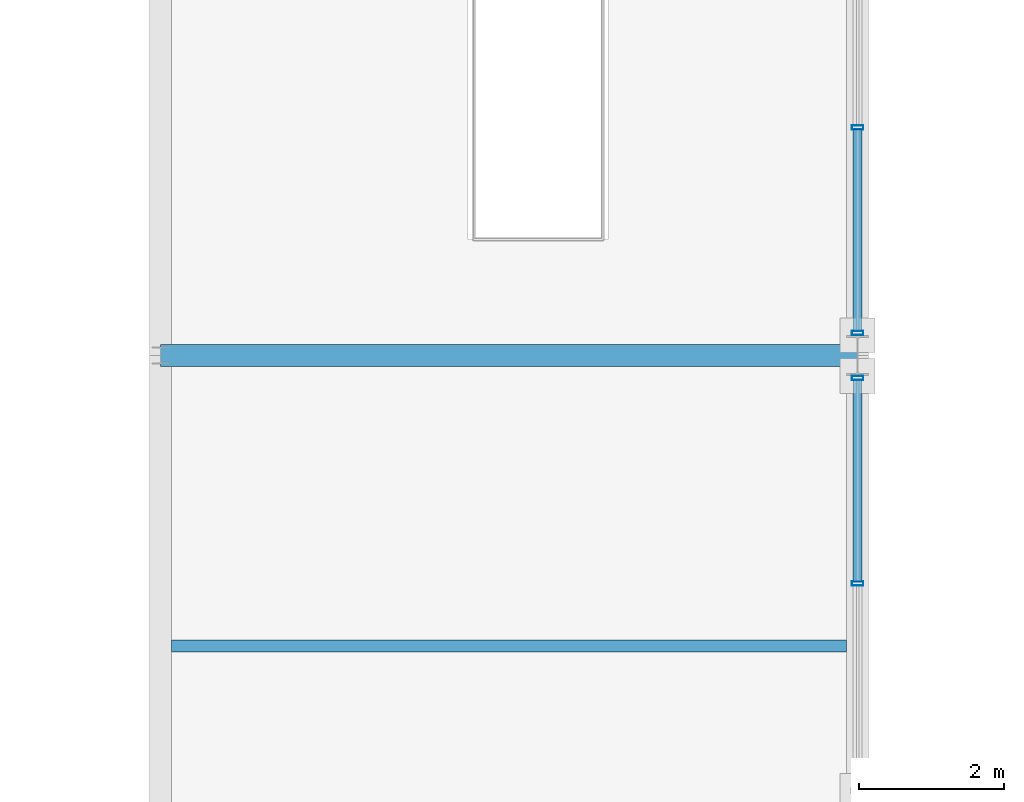
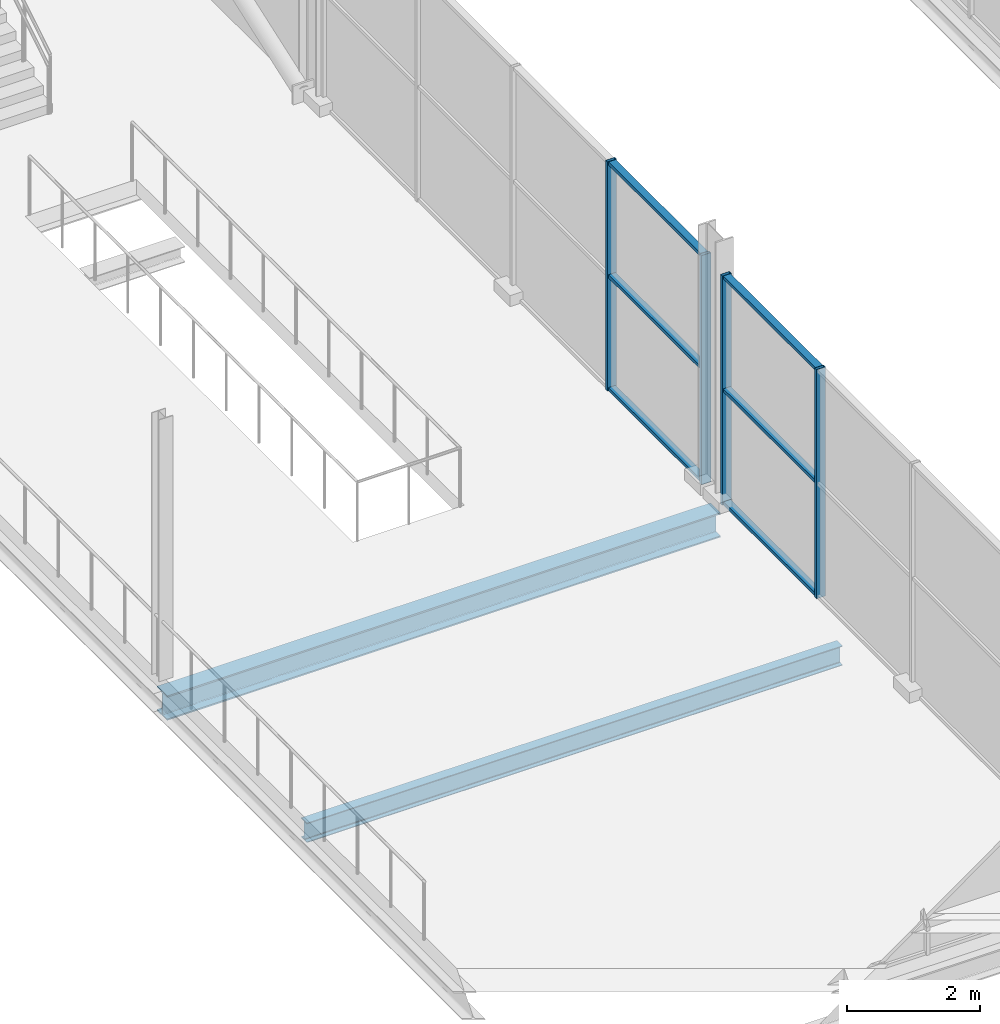
# One storey, part 32 of 159: 10 members, 2 beams, 2 elements without a shape of their own.
"""IFC4 building model written with IfcOpenShell, lengths in metres."""

import ifcopenshell
import ifcopenshell.guid

model = None  # the IFC model being written
_history = None  # IfcOwnerHistory: only IFC2X3 demands one
_inside = {}  # id of a spatial element -> (the spatial element, [elements in it])
_under = {}  # id of a project, library or spatial element -> (it, [spatial elements below it])
_declared = {}  # id of a project -> (the project, [libraries it declares])
_typed = {}  # id of a type object -> (the type object, [elements of that type])
_made_of = {}  # id of a material, layer set ... -> (it, [elements and type objects made of it])


def new_model(schema):
    """Start an empty IFC model of exactly this schema.

    Asked for "IFC4X3", IfcOpenShell would pick the latest addendum, in which some entities
    have other attributes; the version numbers below select the first issue.
    IFC2X3 requires an IfcOwnerHistory on every rooted entity: one is made here for all.
    """
    global model, _history
    if schema == "IFC4X3":
        model = ifcopenshell.file(schema_version=(4, 3, 0, 0))
    else:
        model = ifcopenshell.file(schema=schema)
    _inside.clear()
    _under.clear()
    _declared.clear()
    _typed.clear()
    _made_of.clear()
    _history = None
    if model.schema == "IFC2X3":
        org = make("IfcOrganization", Name="unknown")
        user = make(
            "IfcPersonAndOrganization",
            ThePerson=make("IfcPerson", FamilyName="unknown"),
            TheOrganization=org,
        )
        app = make(
            "IfcApplication",
            ApplicationDeveloper=org,
            Version="unknown",
            ApplicationFullName="unknown",
            ApplicationIdentifier="unknown",
        )
        _history = make(
            "IfcOwnerHistory",
            OwningUser=user,
            OwningApplication=app,
            ChangeAction="ADDED",
            CreationDate=0,
        )
    return model


def make(cls, **values):
    """One entity of the class cls with the attributes given. An attribute that is None is left unset."""
    return model.create_entity(
        cls, **{name: value for name, value in values.items() if value is not None}
    )


def rooted(cls, **values):
    """An entity with a GlobalId (a new one), such as an element, a storey or a relation."""
    return make(cls, GlobalId=ifcopenshell.guid.new(), OwnerHistory=_history, **values)


def si_unit(unit_type, name, prefix=None):
    """IfcSIUnit, for example si_unit("LENGTHUNIT", "METRE", prefix="MILLI")."""
    return make("IfcSIUnit", UnitType=unit_type, Prefix=prefix, Name=name)


def assignment(units):
    """IfcUnitAssignment: the units of a project."""
    return None if units is None else make("IfcUnitAssignment", Units=units)


def point(xyz):
    """IfcCartesianPoint."""
    return None if xyz is None else make("IfcCartesianPoint", Coordinates=xyz)


def direction(xyz):
    """IfcDirection."""
    return None if xyz is None else make("IfcDirection", DirectionRatios=xyz)


def frame(location, z_axis=None, x_axis=None):
    """IfcAxis2Placement3D, a coordinate frame: its origin and axes. An axis left out is left unset."""
    return make(
        "IfcAxis2Placement3D",
        Location=point(location),
        Axis=direction(z_axis),
        RefDirection=direction(x_axis),
    )


def frame_2d(location, x_axis=None):
    """IfcAxis2Placement2D, a coordinate frame in the plane: its origin and x axis."""
    return make(
        "IfcAxis2Placement2D", Location=point(location), RefDirection=direction(x_axis)
    )


def origin():
    """The frame at (0, 0, 0) with its axes left unset."""
    return frame((0.0, 0.0, 0.0))


def origin_2d():
    """The frame at (0, 0) in the plane with its x axis left unset."""
    return frame_2d((0.0, 0.0))


def place(relative_to, where):
    """IfcLocalPlacement: puts the frame where relative to a parent placement (None: the world)."""
    return make(
        "IfcLocalPlacement", PlacementRelTo=relative_to, RelativePlacement=where
    )


def context(
    kind, dimensions, precision=None, world=None, true_north=None, identifier=None
):
    """IfcGeometricRepresentationContext, for example the 3D "Model" context."""
    return make(
        "IfcGeometricRepresentationContext",
        ContextIdentifier=identifier,
        ContextType=kind,
        CoordinateSpaceDimension=dimensions,
        Precision=precision,
        WorldCoordinateSystem=world,
        TrueNorth=true_north,
    )


def subcontext(parent, identifier, kind, view, scale=None):
    """IfcGeometricRepresentationSubContext, for example "Body" below "Model"."""
    return make(
        "IfcGeometricRepresentationSubContext",
        ContextIdentifier=identifier,
        ContextType=kind,
        ParentContext=parent,
        TargetScale=scale,
        TargetView=view,
    )


def project(units=None, contexts=None):
    """IfcProject with its units and contexts."""
    return rooted(
        "IfcProject",
        Name="project",
        RepresentationContexts=contexts,
        UnitsInContext=assignment(units),
    )


def spatial(cls, under=None, at=None, **own):
    """A site, building, storey or space (cls), placed at a placement, below another one or the project."""
    s = rooted(cls, ObjectPlacement=at, **own)
    if under is not None:
        _under.setdefault(under.id(), (under, []))[1].append(s)
    return s


def profile(cls, at=None, kind="AREA", **sizes):
    """A parametric profile (cls). Its sizes go by their IFC names, for example OverallWidth=200.0."""
    return make(cls, ProfileType=kind, Position=at, **sizes)


def hollow_rectangle(**sizes):
    """IfcRectangleHollowProfileDef."""
    return profile("IfcRectangleHollowProfileDef", **sizes)


def i_section(**sizes):
    """IfcIShapeProfileDef."""
    return profile("IfcIShapeProfileDef", **sizes)


def extrude(swept, where, along, depth):
    """IfcExtrudedAreaSolid: the profile swept, set in the frame where, extruded along a direction by depth."""
    return make(
        "IfcExtrudedAreaSolid",
        SweptArea=swept,
        Position=where,
        ExtrudedDirection=direction(along),
        Depth=depth,
    )


def shape(context_of_items, identifier, shape_type, items):
    """IfcShapeRepresentation: the items that make up one representation, for example the "Body"."""
    return make(
        "IfcShapeRepresentation",
        ContextOfItems=context_of_items,
        RepresentationIdentifier=identifier,
        RepresentationType=shape_type,
        Items=items,
    )


def material(Name=None, Category=None):
    """IfcMaterial."""
    return make("IfcMaterial", Name=Name, Category=Category)


def material_profile(
    of_material, cross_section, Name=None, Category=None, Priority=None
):
    """IfcMaterialProfile: a cross section and its material."""
    return make(
        "IfcMaterialProfile",
        Name=Name,
        Material=of_material,
        Profile=cross_section,
        Priority=Priority,
        Category=Category,
    )


def profile_set(profiles, Name=None, composite=None):
    """IfcMaterialProfileSet."""
    return make(
        "IfcMaterialProfileSet",
        Name=Name,
        MaterialProfiles=profiles,
        CompositeProfile=composite,
    )


def made_of(thing, what):
    """Note that an element or type object is made of a material, layer set ...; save() writes the relation."""
    if what is not None:
        _made_of.setdefault(what.id(), (what, []))[1].append(thing)
    return thing


def type_object(cls, material=None, **own):
    """A type object (cls), such as IfcWallType, which elements share."""
    return made_of(rooted(cls, **own), material)


def element(
    cls,
    number,
    at=None,
    inside=None,
    cuts=None,
    type_object=None,
    material=None,
    context=None,
    identifier="Body",
    shape_type=None,
    held_by="IfcProductDefinitionShape",
    body=None,
    shapes=None,
    **own,
):
    """One element of the class cls, such as IfcWall. Its Tag is "e" and its number.

    at: its placement. inside: the storey or other place that contains it. cuts: it is an
    opening in that element (IfcRelVoidsElement). A single representation is given by context,
    identifier, shape_type and body (its items); several are given by shapes. held_by: the class
    of the entity that holds the representations. save() writes the other relations.
    """
    e = rooted(cls, Tag="e%d" % number, ObjectPlacement=at, **own)
    if body is not None:
        shapes = [shape(context, identifier, shape_type, body)]
    if shapes is not None:
        e.Representation = make(held_by, Representations=shapes)
    if inside is not None:
        _inside.setdefault(inside.id(), (inside, []))[1].append(e)
    if cuts is not None:
        rooted(
            "IfcRelVoidsElement", RelatingBuildingElement=cuts, RelatedOpeningElement=e
        )
    if type_object is not None:
        _typed.setdefault(type_object.id(), (type_object, []))[1].append(e)
    return made_of(e, material)


def aggregate(whole, parts):
    """IfcRelAggregates: a whole, such as a stair, and the parts it consists of."""
    return rooted("IfcRelAggregates", RelatingObject=whole, RelatedObjects=parts)


def save(model, path):
    """Write the relations noted so far, then the file.

    IfcRelAggregates (storeys below a building ...), IfcRelContainedInSpatialStructure (elements
    in a storey), IfcRelDefinesByType, IfcRelAssociatesMaterial and IfcRelDeclares: one each for
    every whole, place, type object, material and project.
    """
    for whole, parts in _under.values():
        aggregate(whole, parts)
    for where, things in _inside.values():
        rooted(
            "IfcRelContainedInSpatialStructure",
            RelatedElements=things,
            RelatingStructure=where,
        )
    for kind, things in _typed.values():
        rooted("IfcRelDefinesByType", RelatedObjects=things, RelatingType=kind)
    for what, things in _made_of.values():
        rooted("IfcRelAssociatesMaterial", RelatedObjects=things, RelatingMaterial=what)
    for by, libraries in _declared.values():
        rooted("IfcRelDeclares", RelatingContext=by, RelatedDefinitions=libraries)
    model.write(path)


model = new_model("IFC4")

# Units and contexts
model_context = context("Model", 3, precision=1e-05, world=origin(), true_north=direction((0.0, 1.0)))
body_context = subcontext(model_context, "Body", "Model", "MODEL_VIEW")
ifc_project = project(units=[si_unit("LENGTHUNIT", "METRE"), si_unit("AREAUNIT", "SQUARE_METRE"), si_unit("VOLUMEUNIT", "CUBIC_METRE"), si_unit("PLANEANGLEUNIT", "RADIAN"), si_unit("MASSUNIT", "GRAM", prefix="KILO")], contexts=[model_context])

# Site, building, storey
site_placement = place(None, origin())
site = spatial("IfcSite", under=ifc_project, at=site_placement, CompositionType="ELEMENT")
building_placement = place(site_placement, origin())
building = spatial("IfcBuilding", under=site, at=building_placement, Name="Merenkruunu Market Hall", CompositionType="ELEMENT")
storey_placement = place(building_placement, frame((0.0, 0.0, 5.39990234375)))
storey = spatial("IfcBuildingStorey", under=building, at=storey_placement, Name="L01", CompositionType="ELEMENT", Elevation=5.39990234375)

# Curtain wall, members
ifc_material_1 = material(Name="Powder-coated aluminium", Category="aluminium")
curtain_wall_type = type_object("IfcCurtainWallType", Name="Glazed Curtain Wall CW15", PredefinedType="USERDEFINED", material=ifc_material_1)
curtain_wall_1_placement = place(storey_placement, origin())
curtain_wall_1 = element("IfcCurtainWall", 1, at=curtain_wall_1_placement, inside=storey, type_object=curtain_wall_type, Name="CW-L01-CWM01-122", ObjectType="GLAZED_FACADE", PredefinedType="USERDEFINED")
ifc_material_profile_1 = material_profile(ifc_material_1, hollow_rectangle(XDim=0.06005859375, YDim=0.159912109375, WallThickness=0.00390625, at=origin_2d()), Name="ALU 60x160x4")
ifc_profile_set_1 = profile_set([ifc_material_profile_1], Name="Powder-coated aluminium")
member_type_1 = type_object("IfcMemberType", Name="Curtain Wall Mullion CWM01", PredefinedType="MULLION", material=ifc_profile_set_1)
member_1_placement = place(storey_placement, frame((57.60009765625, 24.4599609375, 0.0), z_axis=(0.0, 0.0, 1.0), x_axis=(0.0, 1.0, 0.0)))
member_1 = element("IfcMember", 2, at=member_1_placement, type_object=member_type_1, Name="CW15 mullion 4", PredefinedType="MULLION", context=body_context, shape_type="SweptSolid", body=[
    extrude(hollow_rectangle(XDim=0.06005859375, YDim=0.159912109375, WallThickness=0.00390625, at=origin_2d()), origin(), (0.0, 0.0, 1.0), 4.2001953125),
])
member_2_placement = place(storey_placement, frame((57.60009765625, 27.2900390625, 0.0), z_axis=(0.0, 0.0, 1.0), x_axis=(0.0, 1.0, 0.0)))
member_2 = element("IfcMember", 3, at=member_2_placement, type_object=member_type_1, Name="CW15 mullion 5", PredefinedType="MULLION", context=body_context, shape_type="SweptSolid", body=[
    extrude(hollow_rectangle(XDim=0.06005859375, YDim=0.159912109375, WallThickness=0.00390625, at=origin_2d()), origin(), (0.0, 0.0, 1.0), 4.2001953125),
])

curtain_wall_2_placement = place(storey_placement, origin())
curtain_wall_2 = element("IfcCurtainWall", 4, at=curtain_wall_2_placement, inside=storey, type_object=curtain_wall_type, Name="CW-L01-CWM01-125", ObjectType="GLAZED_FACADE", PredefinedType="USERDEFINED")
member_3_placement = place(storey_placement, frame((57.60009765625, 27.909912109375, 0.0), z_axis=(0.0, 0.0, 1.0), x_axis=(0.0, 1.0, 0.0)))
member_3 = element("IfcMember", 5, at=member_3_placement, type_object=member_type_1, Name="CW15 mullion 1", PredefinedType="MULLION", context=body_context, shape_type="SweptSolid", body=[
    extrude(hollow_rectangle(XDim=0.06005859375, YDim=0.159912109375, WallThickness=0.00390625, at=origin_2d()), origin(), (0.0, 0.0, 1.0), 4.2001953125),
])
member_4_placement = place(storey_placement, frame((57.60009765625, 30.739990234375, 0.0), z_axis=(0.0, 0.0, 1.0), x_axis=(0.0, 1.0, 0.0)))
member_4 = element("IfcMember", 6, at=member_4_placement, type_object=member_type_1, Name="CW15 mullion 2", PredefinedType="MULLION", context=body_context, shape_type="SweptSolid", body=[
    extrude(hollow_rectangle(XDim=0.06005859375, YDim=0.159912109375, WallThickness=0.00390625, at=origin_2d()), origin(), (0.0, 0.0, 1.0), 4.2001953125),
])

# Member
ifc_material_profile_2 = material_profile(ifc_material_1, hollow_rectangle(XDim=0.06005859375, YDim=0.125, WallThickness=0.00390625, at=origin_2d()), Name="ALU 60x125x4")
ifc_profile_set_2 = profile_set([ifc_material_profile_2], Name="Powder-coated aluminium")
member_type_2 = type_object("IfcMemberType", Name="Curtain Wall Transom CWT01", PredefinedType="USERDEFINED", material=ifc_profile_set_2)
member_5_placement = place(storey_placement, frame((57.60009765625, 24.489990234375, 0.030029296875), z_axis=(0.0, 1.0, 0.0), x_axis=(0.0, 0.0, 1.0)))
member_5 = element("IfcMember", 7, at=member_5_placement, type_object=member_type_2, Name="CW15 transom 4.1", ObjectType="TRANSOM", PredefinedType="USERDEFINED", context=body_context, shape_type="SweptSolid", body=[
    extrude(hollow_rectangle(XDim=0.06005859375, YDim=0.125, WallThickness=0.00390625, at=origin_2d()), origin(), (0.0, 0.0, 1.0), 2.77001953125),
])

member_6_placement = place(storey_placement, frame((57.60009765625, 24.489990234375, 2.10009765625), z_axis=(0.0, 1.0, 0.0), x_axis=(0.0, 0.0, 1.0)))
member_6 = element("IfcMember", 8, at=member_6_placement, type_object=member_type_2, Name="CW15 transom 4.2", ObjectType="TRANSOM", PredefinedType="USERDEFINED", context=body_context, shape_type="SweptSolid", body=[
    extrude(hollow_rectangle(XDim=0.06005859375, YDim=0.125, WallThickness=0.00390625, at=origin_2d()), origin(), (0.0, 0.0, 1.0), 2.77001953125),
])

member_7_placement = place(storey_placement, frame((57.60009765625, 24.489990234375, 4.170166015625), z_axis=(0.0, 1.0, 0.0), x_axis=(0.0, 0.0, 1.0)))
member_7 = element("IfcMember", 9, at=member_7_placement, type_object=member_type_2, Name="CW15 transom 4.3", ObjectType="TRANSOM", PredefinedType="USERDEFINED", context=body_context, shape_type="SweptSolid", body=[
    extrude(hollow_rectangle(XDim=0.06005859375, YDim=0.125, WallThickness=0.00390625, at=origin_2d()), origin(), (0.0, 0.0, 1.0), 2.77001953125),
])

aggregate(curtain_wall_1, [member_1, member_2, member_5, member_6, member_7])

member_8_placement = place(storey_placement, frame((57.60009765625, 27.93994140625, 0.030029296875), z_axis=(0.0, 1.0, 0.0), x_axis=(0.0, 0.0, 1.0)))
member_8 = element("IfcMember", 10, at=member_8_placement, type_object=member_type_2, Name="CW15 transom 1.1", ObjectType="TRANSOM", PredefinedType="USERDEFINED", context=body_context, shape_type="SweptSolid", body=[
    extrude(hollow_rectangle(XDim=0.06005859375, YDim=0.125, WallThickness=0.00390625, at=origin_2d()), origin(), (0.0, 0.0, 1.0), 2.77001953125),
])

member_9_placement = place(storey_placement, frame((57.60009765625, 27.93994140625, 2.10009765625), z_axis=(0.0, 1.0, 0.0), x_axis=(0.0, 0.0, 1.0)))
member_9 = element("IfcMember", 11, at=member_9_placement, type_object=member_type_2, Name="CW15 transom 1.2", ObjectType="TRANSOM", PredefinedType="USERDEFINED", context=body_context, shape_type="SweptSolid", body=[
    extrude(hollow_rectangle(XDim=0.06005859375, YDim=0.125, WallThickness=0.00390625, at=origin_2d()), origin(), (0.0, 0.0, 1.0), 2.77001953125),
])

member_10_placement = place(storey_placement, frame((57.60009765625, 27.93994140625, 4.170166015625), z_axis=(0.0, 1.0, 0.0), x_axis=(0.0, 0.0, 1.0)))
member_10 = element("IfcMember", 12, at=member_10_placement, type_object=member_type_2, Name="CW15 transom 1.3", ObjectType="TRANSOM", PredefinedType="USERDEFINED", context=body_context, shape_type="SweptSolid", body=[
    extrude(hollow_rectangle(XDim=0.06005859375, YDim=0.125, WallThickness=0.00390625, at=origin_2d()), origin(), (0.0, 0.0, 1.0), 2.77001953125),
])

aggregate(curtain_wall_2, [member_3, member_4, member_8, member_9, member_10])

# Beams
ifc_material_2 = material(Name="Steel S355J2", Category="steel")
ifc_material_profile_3 = material_profile(ifc_material_2, i_section(OverallWidth=0.300048828125, OverallDepth=0.449951171875, WebThickness=0.013916015625, FlangeThickness=0.02587890625, FilletRadius=0.027099609375, at=origin_2d()), Name="HEB 450")
ifc_profile_set_3 = profile_set([ifc_material_profile_3], Name="Steel S355J2")
beam_type_1 = type_object("IfcBeamType", Name="Primary Floor Girder B03", PredefinedType="BEAM", material=ifc_profile_set_3)
beam_1_placement = place(storey_placement, frame((48.0, 27.60009765625, -0.5048828125), z_axis=(1.0, 0.0, 0.0), x_axis=(0.0, 1.0, 0.0)))
element("IfcBeam", 13, at=beam_1_placement, inside=storey, type_object=beam_type_1, Name="BM-L01-B03-0482", PredefinedType="BEAM", context=body_context, shape_type="SweptSolid", body=[
    extrude(i_section(OverallWidth=0.300048828125, OverallDepth=0.449951171875, WebThickness=0.013916015625, FlangeThickness=0.02587890625, FilletRadius=0.027099609375, at=origin_2d()), origin(), (0.0, 0.0, 1.0), 9.60009765625),
])
ifc_material_profile_4 = material_profile(ifc_material_2, i_section(OverallWidth=0.169921875, OverallDepth=0.360107421875, WebThickness=0.008056640625, FlangeThickness=0.0126953125, FilletRadius=0.01806640625, at=origin_2d()), Name="IPE 360")
ifc_profile_set_4 = profile_set([ifc_material_profile_4], Name="Steel S355J2")
beam_type_2 = type_object("IfcBeamType", Name="Secondary Floor Joist J03", PredefinedType="JOIST", material=ifc_profile_set_4)
beam_2_placement = place(storey_placement, frame((48.153076171875, 23.60009765625, -0.4599609375), z_axis=(1.0, 0.0, 0.0), x_axis=(0.0, 1.0, 0.0)))
element("IfcBeam", 14, at=beam_2_placement, inside=storey, type_object=beam_type_2, Name="BM-L01-J03-0666", PredefinedType="JOIST", context=body_context, shape_type="SweptSolid", body=[
    extrude(i_section(OverallWidth=0.169921875, OverallDepth=0.360107421875, WebThickness=0.008056640625, FlangeThickness=0.0126953125, FilletRadius=0.01806640625, at=origin_2d()), origin(), (0.0, 0.0, 1.0), 9.2939453125),
])

save(model, "model.ifc")
